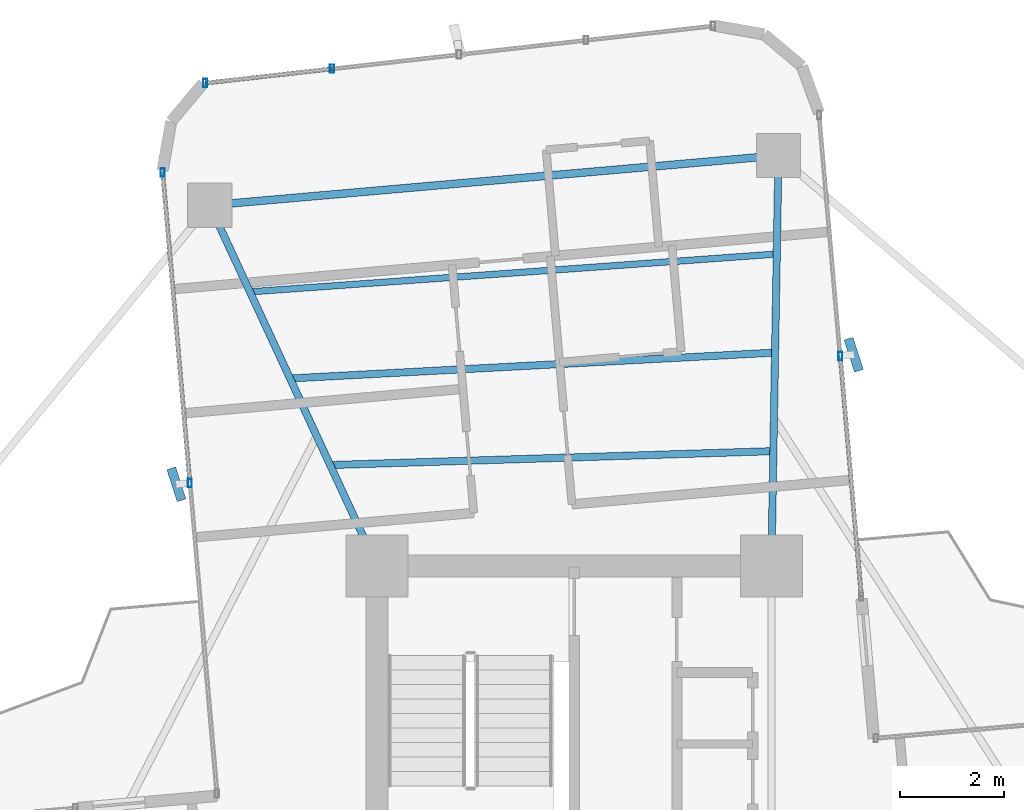
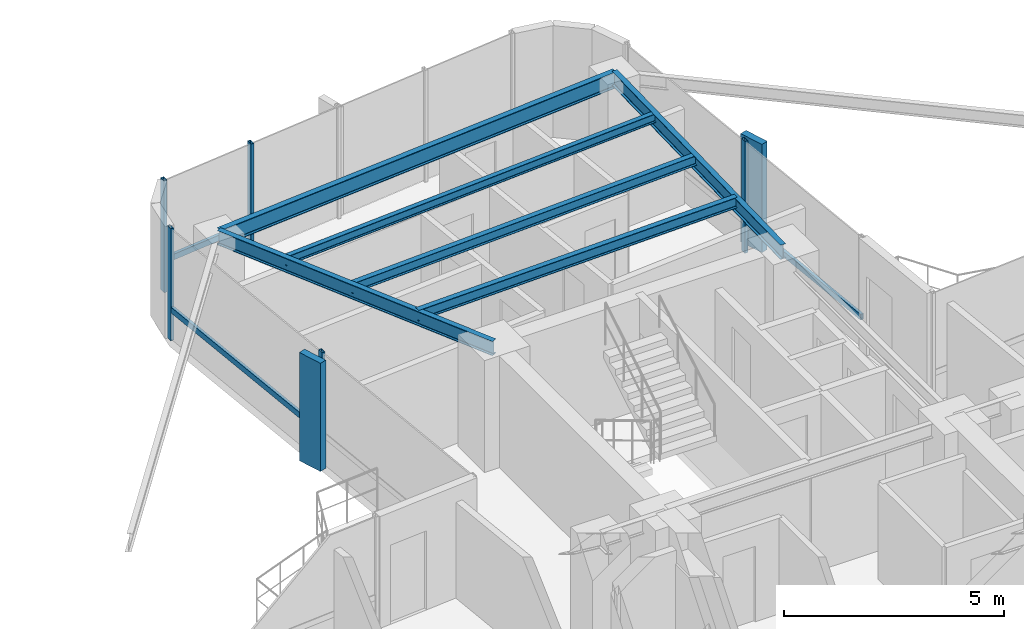
# One storey, part 16 of 24: 10 members, 6 beams, 3 elements without a shape of their own.
"""IFC4 building model written with IfcOpenShell, lengths in metres."""

from ifc_helpers import new_model, si_unit, direction, frame, origin, origin_2d, place, context, subcontext, project, spatial, rectangle, hollow_rectangle, i_section, extrude, source, transform, mapped, material, material_profile, profile_set, type_object, element, aggregate, save


model = new_model("IFC4")

# Units and contexts
model_context = context("Model", 3, precision=1e-05, world=origin(), true_north=direction((0.0, 1.0)))
body_context = subcontext(model_context, "Body", "Model", "MODEL_VIEW")
ifc_project = project(units=[si_unit("LENGTHUNIT", "METRE"), si_unit("AREAUNIT", "SQUARE_METRE"), si_unit("VOLUMEUNIT", "CUBIC_METRE"), si_unit("PLANEANGLEUNIT", "RADIAN"), si_unit("MASSUNIT", "GRAM", prefix="KILO")], contexts=[model_context])

# Site, building, storey
site_placement = place(None, origin())
site = spatial("IfcSite", under=ifc_project, at=site_placement, CompositionType="ELEMENT")
building_placement = place(site_placement, origin())
building = spatial("IfcBuilding", under=site, at=building_placement, Name="Sahyath Konkavel Grand Hotel", CompositionType="ELEMENT")
storey_placement = place(building_placement, frame((0.0, 0.0, 181.89990234375)))
storey = spatial("IfcBuildingStorey", under=building, at=storey_placement, Name="L50", CompositionType="ELEMENT", Elevation=181.89990234375)

# Beams
ifc_material_1 = material(Name="Steel E350", Category="steel")
ifc_material_profile_1 = material_profile(ifc_material_1, i_section(OverallWidth=0.139892578125, OverallDepth=0.39990234375, WebThickness=0.0087890625, FlangeThickness=0.01611328125, FilletRadius=0.013916015625, at=origin_2d()), Name="ISMB 400")
ifc_profile_set_1 = profile_set([ifc_material_profile_1], Name="Steel E350")
beam_type_1 = type_object("IfcBeamType", Name="BM-ISMB400", PredefinedType="BEAM", material=ifc_profile_set_1)
shared_shape_1 = source(origin(), body_context, "Body", "SweptSolid", [
    extrude(i_section(OverallWidth=0.139892578125, OverallDepth=0.39990234375, WebThickness=0.0087890625, FlangeThickness=0.01611328125, FilletRadius=0.013916015625, at=origin_2d()), origin(), (0.0, 0.0, 1.0), 7.913330078125),
])
beam_1_placement = place(storey_placement, frame((3.800048828125, 10.199951171875, 2.91015625), z_axis=(0.017215419232, 0.999851803689, 0.0), x_axis=(-0.999851803689, 0.017215419232, 0.0)))
element("IfcBeam", 1, at=beam_1_placement, inside=storey, type_object=beam_type_1, Name="L50 Cruciform Radial Girder NA", PredefinedType="BEAM", context=body_context, shape_type="MappedRepresentation", body=[
    mapped(shared_shape_1, transform((0.0, 0.0, 0.0), scale=1.0)),
])
shared_shape_2 = source(origin(), body_context, "Body", "SweptSolid", [
    extrude(i_section(OverallWidth=0.139892578125, OverallDepth=0.39990234375, WebThickness=0.0087890625, FlangeThickness=0.01611328125, FilletRadius=0.013916015625, at=origin_2d()), origin(), (0.0, 0.0, 1.0), 7.66357421875),
])
beam_2_placement = place(storey_placement, frame((-3.800048828125, 10.199951171875, 2.91015625), z_axis=(-0.420395127561, 0.907341135804, 0.0), x_axis=(-0.907341135804, -0.420395127561, 0.0)))
element("IfcBeam", 2, at=beam_2_placement, inside=storey, type_object=beam_type_1, Name="L50 Cruciform Radial Girder NB", PredefinedType="BEAM", context=body_context, shape_type="MappedRepresentation", body=[
    mapped(shared_shape_2, transform((0.0, 0.0, 0.0), scale=1.0)),
])
ifc_material_profile_2 = material_profile(ifc_material_1, i_section(OverallWidth=0.14990234375, OverallDepth=0.449951171875, WebThickness=0.009521484375, FlangeThickness=0.017333984375, FilletRadius=0.014892578125, at=origin_2d()), Name="ISMB 450")
ifc_profile_set_2 = profile_set([ifc_material_profile_2], Name="Steel E350")
beam_type_2 = type_object("IfcBeamType", Name="BM-ISMB450", PredefinedType="BEAM", material=ifc_profile_set_2)
shared_shape_3 = source(origin(), body_context, "Body", "SweptSolid", [
    extrude(i_section(OverallWidth=0.14990234375, OverallDepth=0.449951171875, WebThickness=0.009521484375, FlangeThickness=0.017333984375, FilletRadius=0.014892578125, at=origin_2d()), origin(), (0.0, 0.0, 1.0), 10.999755859375),
])
beam_3_placement = place(storey_placement, frame((3.936279296875, 18.112060546875, 2.885009765625), z_axis=(-0.99619439202, -0.087159241098, 0.0), x_axis=(0.087159241098, -0.99619439202, 0.0)))
element("IfcBeam", 3, at=beam_3_placement, inside=storey, type_object=beam_type_2, Name="L50 Wing Tip Edge Beam N", PredefinedType="BEAM", context=body_context, shape_type="MappedRepresentation", body=[
    mapped(shared_shape_3, transform((0.0, 0.0, 0.0), scale=1.0)),
])
ifc_material_profile_3 = material_profile(ifc_material_1, i_section(OverallWidth=0.139892578125, OverallDepth=0.300048828125, WebThickness=0.0078125, FlangeThickness=0.01318359375, FilletRadius=0.013916015625, at=origin_2d()), Name="ISMB 300")
ifc_profile_set_3 = profile_set([ifc_material_profile_3], Name="Steel E350")
beam_type_3 = type_object("IfcBeamType", Name="BM-ISMB300", PredefinedType="BEAM", material=ifc_profile_set_3)
shared_shape_4 = source(origin(), body_context, "Body", "SweptSolid", [
    extrude(i_section(OverallWidth=0.139892578125, OverallDepth=0.300048828125, WebThickness=0.0078125, FlangeThickness=0.01318359375, FilletRadius=0.013916015625, at=origin_2d()), origin(), (0.0, 0.0, 1.0), 8.54443359375),
])
beam_4_placement = place(storey_placement, frame((3.838134765625, 12.415283203125, 2.960205078125), z_axis=(-0.999506849365, -0.031401561632, 0.0), x_axis=(0.031401561632, -0.999506849365, 0.0)))
element("IfcBeam", 4, at=beam_4_placement, inside=storey, type_object=beam_type_3, Name="L50 Secondary Floor Beam N-1", PredefinedType="BEAM", context=body_context, shape_type="MappedRepresentation", body=[
    mapped(shared_shape_4, transform((0.0, 0.0, 0.0), scale=1.0)),
])
ifc_material_profile_4 = material_profile(ifc_material_1, i_section(OverallWidth=0.139892578125, OverallDepth=0.27490234375, WebThickness=0.00634765625, FlangeThickness=0.0087890625, FilletRadius=0.012939453125, at=origin_2d()), Name="ISLB 275")
ifc_profile_set_4 = profile_set([ifc_material_profile_4], Name="Steel E350")
beam_type_4 = type_object("IfcBeamType", Name="BM-ISLB275", PredefinedType="BEAM", material=ifc_profile_set_4)
shared_shape_5 = source(origin(), body_context, "Body", "SweptSolid", [
    extrude(i_section(OverallWidth=0.139892578125, OverallDepth=0.27490234375, WebThickness=0.00634765625, FlangeThickness=0.0087890625, FilletRadius=0.012939453125, at=origin_2d()), origin(), (0.0, 0.0, 1.0), 9.359375),
])
beam_5_placement = place(storey_placement, frame((3.870849609375, 14.314208984375, 2.97265625), z_axis=(-0.998580397723, -0.053265272769, 0.0), x_axis=(0.053265272769, -0.998580397723, 0.0)))
element("IfcBeam", 5, at=beam_5_placement, inside=storey, type_object=beam_type_4, Name="L50 Secondary Floor Beam N-2", PredefinedType="BEAM", context=body_context, shape_type="MappedRepresentation", body=[
    mapped(shared_shape_5, transform((0.0, 0.0, 0.0), scale=1.0)),
])
ifc_material_profile_5 = material_profile(ifc_material_1, i_section(OverallWidth=0.125, OverallDepth=0.25, WebThickness=0.0068359375, FlangeThickness=0.012451171875, FilletRadius=0.012939453125, at=origin_2d()), Name="ISMB 250")
ifc_profile_set_5 = profile_set([ifc_material_profile_5], Name="Steel E350")
beam_type_5 = type_object("IfcBeamType", Name="BM-ISMB250", PredefinedType="BEAM", material=ifc_profile_set_5)
shared_shape_6 = source(origin(), body_context, "Body", "SweptSolid", [
    extrude(i_section(OverallWidth=0.125, OverallDepth=0.25, WebThickness=0.0068359375, FlangeThickness=0.012451171875, FilletRadius=0.012939453125, at=origin_2d()), origin(), (0.0, 0.0, 1.0), 10.178466796875),
])
beam_6_placement = place(storey_placement, frame((3.90380859375, 16.213134765625, 2.985107421875), z_axis=(-0.997435268886, -0.071574327683, 0.0), x_axis=(0.071574327683, -0.997435268886, 0.0)))
element("IfcBeam", 6, at=beam_6_placement, inside=storey, type_object=beam_type_5, Name="L50 Secondary Floor Beam N-3", PredefinedType="BEAM", context=body_context, shape_type="MappedRepresentation", body=[
    mapped(shared_shape_6, transform((0.0, 0.0, 0.0), scale=1.0)),
])

# Curtain wall, member
ifc_material_2 = material(Name="Anodised Bronze Aluminium & Low-E Glazing", Category="aluminium")
curtain_wall_type = type_object("IfcCurtainWallType", Name="CW-ZONE3", PredefinedType="NOTDEFINED", material=ifc_material_2)
curtain_wall_1_placement = place(storey_placement, origin())
curtain_wall_1 = element("IfcCurtainWall", 7, at=curtain_wall_1_placement, inside=storey, type_object=curtain_wall_type, Name="L50 Unitised Curtain Wall F8", PredefinedType="NOTDEFINED")
ifc_material_3 = material(Name="Warm Buff Sandstone Cladding on Concrete C50/60", Category="masonry")
ifc_material_profile_6 = material_profile(ifc_material_3, rectangle(XDim=0.179931640625, YDim=0.64990234375, at=origin_2d()), Name="FIN 180x650")
ifc_profile_set_6 = profile_set([ifc_material_profile_6], Name="Warm Buff Sandstone Cladding on Concrete C50/60")
member_type_1 = type_object("IfcMemberType", Name="FIN-SANDSTONE-650", PredefinedType="MULLION", material=ifc_profile_set_6)
shared_shape_7 = source(origin(), body_context, "Body", "SweptSolid", [
    extrude(rectangle(XDim=0.179931640625, YDim=0.64990234375, at=origin_2d()), origin(), (0.0, 0.0, 1.0), 3.010009765625),
])
member_1_placement = place(storey_placement, frame((5.386474609375, 14.273681640625, 0.050048828125), z_axis=(0.0, 0.0, 1.0), x_axis=(0.951379596601, 0.308020881065, 0.0)))
member_1 = element("IfcMember", 8, at=member_1_placement, type_object=member_type_1, Name="L50 Sandstone Vertical Solar Fin FIN F8-1", PredefinedType="MULLION", context=body_context, shape_type="MappedRepresentation", body=[
    mapped(shared_shape_7, transform((0.0, 0.0, 0.0), scale=1.0)),
])

curtain_wall_2_placement = place(storey_placement, origin())
curtain_wall_2 = element("IfcCurtainWall", 9, at=curtain_wall_2_placement, inside=storey, type_object=curtain_wall_type, Name="L50 Unitised Curtain Wall F15", PredefinedType="NOTDEFINED")
member_2_placement = place(storey_placement, frame((-7.66552734375, 11.776611328125, 0.050048828125), z_axis=(0.0, 0.0, 1.0), x_axis=(0.951379596601, 0.308020881065, 0.0)))
member_2 = element("IfcMember", 10, at=member_2_placement, type_object=member_type_1, Name="L50 Sandstone Vertical Solar Fin FIN F15-1", PredefinedType="MULLION", context=body_context, shape_type="MappedRepresentation", body=[
    mapped(shared_shape_7, transform((0.0, 0.0, 0.0), scale=1.0)),
])

# Member
ifc_material_4 = material(Name="Anodised Bronze Aluminium", Category="aluminium")
ifc_material_profile_7 = material_profile(ifc_material_4, hollow_rectangle(XDim=0.080078125, YDim=0.159912109375, WallThickness=0.006103515625, at=origin_2d()), Name="RHS 160x80x6")
ifc_profile_set_7 = profile_set([ifc_material_profile_7], Name="Anodised Bronze Aluminium")
member_type_2 = type_object("IfcMemberType", Name="CW-MUL-160", PredefinedType="MULLION", material=ifc_profile_set_7)
shared_shape_8 = source(origin(), body_context, "Body", "SweptSolid", [
    extrude(hollow_rectangle(XDim=0.080078125, YDim=0.159912109375, WallThickness=0.006103515625, at=origin_2d()), origin(), (0.0, 0.0, 1.0), 3.110107421875),
])
member_3_placement = place(storey_placement, frame((5.12744140625, 14.251220703125, 0.0), z_axis=(0.0, 0.0, 1.0), x_axis=(1.0, 0.0, 0.0)))
member_3 = element("IfcMember", 11, at=member_3_placement, type_object=member_type_2, Name="L50 Curtain Wall Mullion F8-1", PredefinedType="MULLION", context=body_context, shape_type="MappedRepresentation", body=[
    mapped(shared_shape_8, transform((0.0, 0.0, 0.0), scale=1.0)),
])

# Curtain wall, members
curtain_wall_3_placement = place(storey_placement, origin())
curtain_wall_3 = element("IfcCurtainWall", 12, at=curtain_wall_3_placement, inside=storey, type_object=curtain_wall_type, Name="L50 Unitised Curtain Wall F12", PredefinedType="NOTDEFINED")
member_4_placement = place(storey_placement, frame((-4.665771484375, 19.783203125, 0.0), z_axis=(0.0, 0.0, 1.0), x_axis=(1.0, 0.0, 0.0)))
member_4 = element("IfcMember", 13, at=member_4_placement, type_object=member_type_2, Name="L50 Curtain Wall Mullion F12-3", PredefinedType="MULLION", context=body_context, shape_type="MappedRepresentation", body=[
    mapped(shared_shape_8, transform((0.0, 0.0, 0.0), scale=1.0)),
])
member_5_placement = place(storey_placement, frame((-7.1123046875, 19.507568359375, 0.0), z_axis=(0.0, 0.0, 1.0), x_axis=(1.0, 0.0, 0.0)))
member_5 = element("IfcMember", 14, at=member_5_placement, type_object=member_type_2, Name="L50 Curtain Wall Mullion F12-4", PredefinedType="MULLION", context=body_context, shape_type="MappedRepresentation", body=[
    mapped(shared_shape_8, transform((0.0, 0.0, 0.0), scale=1.0)),
])

# Member
member_6_placement = place(storey_placement, frame((-7.930419921875, 17.78662109375, 0.0), z_axis=(0.0, 0.0, 1.0), x_axis=(1.0, 0.0, 0.0)))
member_6 = element("IfcMember", 15, at=member_6_placement, type_object=member_type_2, Name="L50 Curtain Wall Mullion F15-0", PredefinedType="MULLION", context=body_context, shape_type="MappedRepresentation", body=[
    mapped(shared_shape_8, transform((0.0, 0.0, 0.0), scale=1.0)),
])

member_7_placement = place(storey_placement, frame((-7.406494140625, 11.79931640625, 0.0), z_axis=(0.0, 0.0, 1.0), x_axis=(1.0, 0.0, 0.0)))
member_7 = element("IfcMember", 16, at=member_7_placement, type_object=member_type_2, Name="L50 Curtain Wall Mullion F15-1", PredefinedType="MULLION", context=body_context, shape_type="MappedRepresentation", body=[
    mapped(shared_shape_8, transform((0.0, 0.0, 0.0), scale=1.0)),
])

ifc_material_profile_8 = material_profile(ifc_material_4, hollow_rectangle(XDim=0.080078125, YDim=0.159912109375, WallThickness=0.006103515625, at=origin_2d()), Name="RHS 160x80x6")
ifc_profile_set_8 = profile_set([ifc_material_profile_8], Name="Anodised Bronze Aluminium")
member_type_3 = type_object("IfcMemberType", Name="CW-TRN-160", PredefinedType="USERDEFINED", material=ifc_profile_set_8)
shared_shape_9 = source(origin(), body_context, "Body", "SweptSolid", [
    extrude(hollow_rectangle(XDim=0.080078125, YDim=0.159912109375, WallThickness=0.006103515625, at=origin_2d()), origin(), (0.0, 0.0, 1.0), 4.66015625),
])
member_8_placement = place(storey_placement, frame((5.53369140625, 9.60888671875, 0.85009765625), z_axis=(-0.087176698736, 0.996192864458, 0.0), x_axis=(-0.996192864458, -0.087176698736, 0.0)))
member_8 = element("IfcMember", 17, at=member_8_placement, type_object=member_type_3, Name="L50 Curtain Wall Transom F8-0-spandrel", ObjectType="TRANSOM", PredefinedType="USERDEFINED", context=body_context, shape_type="MappedRepresentation", body=[
    mapped(shared_shape_9, transform((0.0, 0.0, 0.0), scale=1.0)),
])

aggregate(curtain_wall_1, [member_3, member_1, member_8])

shared_shape_10 = source(origin(), body_context, "Body", "SweptSolid", [
    extrude(hollow_rectangle(XDim=0.080078125, YDim=0.159912109375, WallThickness=0.006103515625, at=origin_2d()), origin(), (0.0, 0.0, 1.0), 2.4619140625),
])
member_9_placement = place(storey_placement, frame((-4.665771484375, 19.783203125, 0.85009765625), z_axis=(-0.993713263833, -0.111955121731, 0.0), x_axis=(0.111955121731, -0.993713263833, 0.0)))
member_9 = element("IfcMember", 18, at=member_9_placement, type_object=member_type_3, Name="L50 Curtain Wall Transom F12-3-spandrel", ObjectType="TRANSOM", PredefinedType="USERDEFINED", context=body_context, shape_type="MappedRepresentation", body=[
    mapped(shared_shape_10, transform((0.0, 0.0, 0.0), scale=1.0)),
])

aggregate(curtain_wall_3, [member_4, member_5, member_9])

shared_shape_11 = source(origin(), body_context, "Body", "SweptSolid", [
    extrude(hollow_rectangle(XDim=0.080078125, YDim=0.159912109375, WallThickness=0.006103515625, at=origin_2d()), origin(), (0.0, 0.0, 1.0), 6.01025390625),
])
member_10_placement = place(storey_placement, frame((-7.930419921875, 17.78662109375, 0.85009765625), z_axis=(0.087172997156, -0.996193188376, 0.0), x_axis=(0.996193188376, 0.087172997156, 0.0)))
member_10 = element("IfcMember", 19, at=member_10_placement, type_object=member_type_3, Name="L50 Curtain Wall Transom F15-0-spandrel", ObjectType="TRANSOM", PredefinedType="USERDEFINED", context=body_context, shape_type="MappedRepresentation", body=[
    mapped(shared_shape_11, transform((0.0, 0.0, 0.0), scale=1.0)),
])

aggregate(curtain_wall_2, [member_6, member_7, member_2, member_10])

save(model, "model.ifc")
